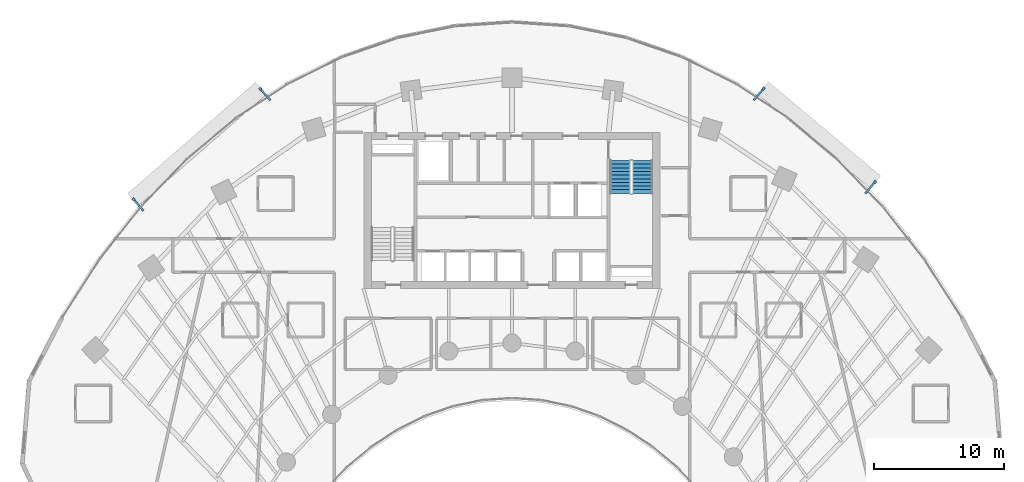
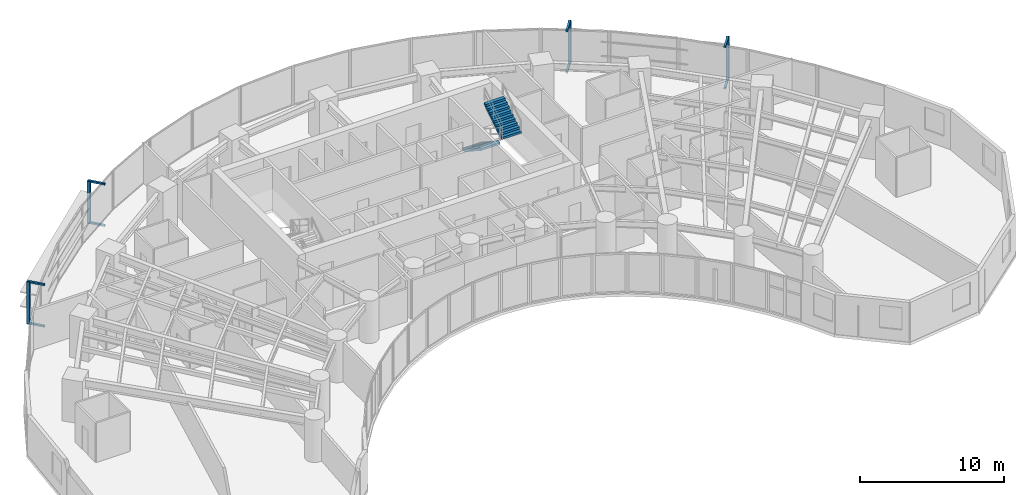
# One storey, part 15 of 17: 12 discrete accessories, 2 stair flights, 1 element without a shape of its own.
"""IFC4 building model written with IfcOpenShell, lengths in metres."""

from ifc_helpers import new_model, si_unit, direction, frame, origin, origin_2d, place, context, subcontext, project, spatial, polyline, rectangle, outline, extrude, source, transform, mapped, material, type_object, type_shapes, element, aggregate, save


model = new_model("IFC4")

# Units and contexts
model_context = context("Model", 3, precision=1e-05, world=origin(), true_north=direction((0.0, 1.0)))
body_context = subcontext(model_context, "Body", "Model", "MODEL_VIEW")
ifc_project = project(units=[si_unit("LENGTHUNIT", "METRE"), si_unit("AREAUNIT", "SQUARE_METRE"), si_unit("VOLUMEUNIT", "CUBIC_METRE"), si_unit("PLANEANGLEUNIT", "RADIAN"), si_unit("MASSUNIT", "GRAM", prefix="KILO")], contexts=[model_context])

# Site, building, storey
site_placement = place(None, origin())
site = spatial("IfcSite", under=ifc_project, at=site_placement, CompositionType="ELEMENT")
building_placement = place(site_placement, origin())
building = spatial("IfcBuilding", under=site, at=building_placement, Name="Breltana Convention Tower", CompositionType="ELEMENT")
storey_placement = place(building_placement, frame((0.0, 0.0, 78.60009765625)))
storey = spatial("IfcBuildingStorey", under=building, at=storey_placement, Name="L18", CompositionType="ELEMENT", Elevation=78.60009765625)

# Stair, stair flights
ifc_material_1 = material(Name="Concrete C40/50", Category="concrete")
stair_type = type_object("IfcStairType", Name="ST-DOG-1560-R180", PredefinedType="HALF_TURN_STAIR", material=ifc_material_1)
stair_placement = place(storey_placement, origin())
stair = element("IfcStair", 1, at=stair_placement, inside=storey, type_object=stair_type, Name="L18 Protected Core Exit Stair ST-2", PredefinedType="HALF_TURN_STAIR")
stair_flight_type = type_object("IfcStairFlightType", Name="STF-DOG-1560-N10-R180", PredefinedType="STRAIGHT", material=ifc_material_1)
stair_flight_1_placement = place(storey_placement, frame((56.31005859375, 70.0400390625, 0.0), z_axis=(0.0, 0.0, 1.0), x_axis=(0.0, -1.0, 0.0)))
stair_flight_1 = element("IfcStairFlight", 2, at=stair_flight_1_placement, type_object=stair_flight_type, Name="ST-2 flight 1", NumberOfRisers=10, NumberOfTreads=9, PredefinedType="STRAIGHT", RiserHeight=0.18, TreadLength=0.28, context=body_context, shape_type="SweptSolid", body=[
    extrude(outline(polyline([(0.0, 0.0), (0.0, 0.179931640625), (0.280029296875, 0.179931640625), (0.280029296875, 0.360107421875), (0.56005859375, 0.360107421875), (0.56005859375, 0.5400390625), (0.840087890625, 0.5400390625), (0.840087890625, 0.719970703125), (1.1201171875, 0.719970703125), (1.1201171875, 0.89990234375), (1.39990234375, 0.89990234375), (1.39990234375, 1.080078125), (1.679931640625, 1.080078125), (1.679931640625, 1.260009765625), (1.9599609375, 1.260009765625), (1.9599609375, 1.43994140625), (2.239990234375, 1.43994140625), (2.239990234375, 1.6201171875), (2.52001953125, 1.6201171875), (2.52001953125, 1.800048828125), (2.52001953125, 1.44189453125), (0.277099609375, 0.0), (0.0, 0.0)])), frame((0.0, 0.780029296875, 0.0), z_axis=(0.0, -1.0, 0.0), x_axis=(1.0, 0.0, 0.0)), (0.0, 0.0, 1.0), 1.56005859375),
])
stair_flight_2_placement = place(storey_placement, frame((58.02001953125, 67.52001953125, 1.7998046875), z_axis=(0.0, 0.0, 1.0), x_axis=(0.0, 1.0, 0.0)))
stair_flight_2 = element("IfcStairFlight", 3, at=stair_flight_2_placement, type_object=stair_flight_type, Name="ST-2 flight 2", NumberOfRisers=10, NumberOfTreads=9, PredefinedType="STRAIGHT", RiserHeight=0.18, TreadLength=0.28, context=body_context, shape_type="SweptSolid", body=[
    extrude(outline(polyline([(0.0, 0.0), (0.0, 0.179931640625), (0.280029296875, 0.179931640625), (0.280029296875, 0.360107421875), (0.56005859375, 0.360107421875), (0.56005859375, 0.5400390625), (0.840087890625, 0.5400390625), (0.840087890625, 0.719970703125), (1.1201171875, 0.719970703125), (1.1201171875, 0.89990234375), (1.39990234375, 0.89990234375), (1.39990234375, 1.080078125), (1.679931640625, 1.080078125), (1.679931640625, 1.260009765625), (1.9599609375, 1.260009765625), (1.9599609375, 1.43994140625), (2.239990234375, 1.43994140625), (2.239990234375, 1.6201171875), (2.52001953125, 1.6201171875), (2.52001953125, 1.800048828125), (2.52001953125, 1.44189453125), (0.277099609375, 0.0), (0.0, 0.0)])), frame((0.0, 0.780029296875, 0.0), z_axis=(0.0, -1.0, 0.0), x_axis=(1.0, 0.0, 0.0)), (0.0, 0.0, 1.0), 1.56005859375),
])
aggregate(stair, [stair_flight_1, stair_flight_2])

# Discrete accessories
ifc_material_2 = material(Name="Steel S355", Category="steel")
discrete_accessory_type_1 = type_object("IfcDiscreteAccessoryType", Name="ACC-DSF-BRACKET-150", PredefinedType="BRACKET", material=ifc_material_2)
shared_shape_1 = source(origin(), body_context, "Body", "SweptSolid", [
    extrude(rectangle(XDim=1.239990234375, YDim=0.14990234375, at=origin_2d()), origin(), (0.0, 0.0, 1.0), 0.139892578125),
])
type_shapes(discrete_accessory_type_1, [shared_shape_1])
for number, where, z_axis, x_axis, name in (
    (4, (19.310791015625, 66.643798828125, -0.16015625), (0.0, 0.0, 1.0), (-0.656456838663, 0.754363585397, 0.0), "L18 double-skin slab stand-off bracket 1.1B"),
    (5, (19.310791015625, 66.643798828125, 3.35986328125), (0.0, 0.0, 1.0), (-0.656456838663, 0.754363585397, 0.0), "L18 double-skin slab stand-off bracket 1.1T"),
    (6, (29.052978515625, 75.121337890625, -0.16015625), (0.0, 0.0, 1.0), (-0.656456838663, 0.754363585397, 0.0), "L18 double-skin slab stand-off bracket 1.2B"),
    (7, (29.052978515625, 75.121337890625, 3.35986328125), (0.0, 0.0, 1.0), (-0.656456838663, 0.754363585397, 0.0), "L18 double-skin slab stand-off bracket 1.2T"),
    (8, (66.954833984375, 75.1435546875, -0.16015625), (0.0, 0.0, 1.0), (0.641990162706, 0.76671287389, 0.0), "L18 double-skin slab stand-off bracket 2.1B"),
    (9, (66.954833984375, 75.1435546875, 3.35986328125), (0.0, 0.0, 1.0), (0.641990162706, 0.76671287389, 0.0), "L18 double-skin slab stand-off bracket 2.1T"),
    (10, (75.516357421875, 67.974853515625, -0.16015625), (0.0, 0.0, 1.0), (0.641990162706, 0.76671287389, 0.0), "L18 double-skin slab stand-off bracket 2.2B"),
    (11, (75.516357421875, 67.974853515625, 3.35986328125), (0.0, 0.0, 1.0), (0.641990162706, 0.76671287389, 0.0), "L18 double-skin slab stand-off bracket 2.2T"),
):
    element("IfcDiscreteAccessory", number, at=place(storey_placement, frame(where, z_axis=z_axis, x_axis=x_axis)), inside=storey, type_object=discrete_accessory_type_1, Name=name, PredefinedType="BRACKET", context=body_context, shape_type="MappedRepresentation", body=[
        mapped(shared_shape_1, transform((0.0, 0.0, 0.0), scale=1.0)),
    ])
discrete_accessory_type_2 = type_object("IfcDiscreteAccessoryType", Name="ACC-DSF-CARRIER-150", PredefinedType="BRACKET", material=ifc_material_2)
shared_shape_2 = source(origin(), body_context, "Body", "SweptSolid", [
    extrude(rectangle(XDim=0.219970703125, YDim=0.219970703125, at=origin_2d()), origin(), (0.0, 0.0, 1.0), 3.580078125),
])
for number, where, z_axis, x_axis, name in (
    (12, (18.943115234375, 67.066162109375, -0.1201171875), (0.0, 0.0, 1.0), (-0.656456838663, 0.754363585397, 0.0), "L18 double-skin outer vertical carrier 1.1"),
    (13, (28.685302734375, 75.5439453125, -0.1201171875), (0.0, 0.0, 1.0), (-0.656456838663, 0.754363585397, 0.0), "L18 double-skin outer vertical carrier 1.2"),
    (14, (67.314453125, 75.57275390625, -0.1201171875), (0.0, 0.0, 1.0), (0.641990162706, 0.76671287389, 0.0), "L18 double-skin outer vertical carrier 2.1"),
    (15, (75.875732421875, 68.404052734375, -0.1201171875), (0.0, 0.0, 1.0), (0.641990162706, 0.76671287389, 0.0), "L18 double-skin outer vertical carrier 2.2"),
):
    element("IfcDiscreteAccessory", number, at=place(storey_placement, frame(where, z_axis=z_axis, x_axis=x_axis)), inside=storey, type_object=discrete_accessory_type_2, Name=name, PredefinedType="BRACKET", context=body_context, shape_type="MappedRepresentation", body=[
        mapped(shared_shape_2, transform((0.0, 0.0, 0.0), scale=1.0)),
    ])

save(model, "model.ifc")
